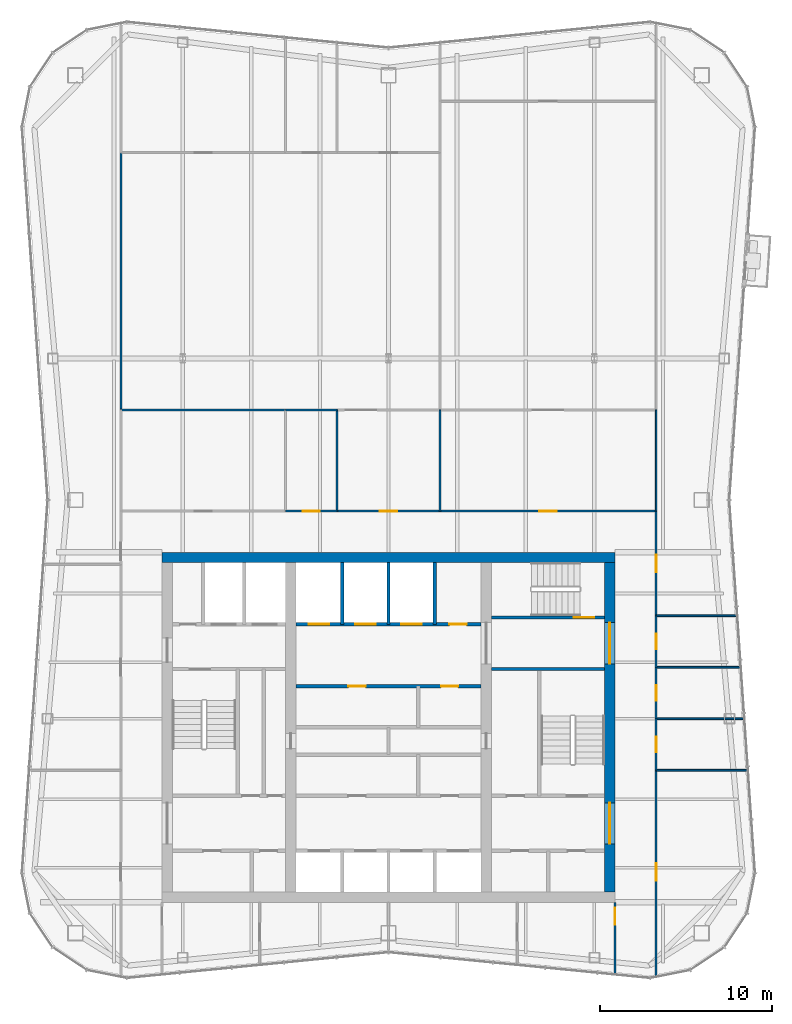
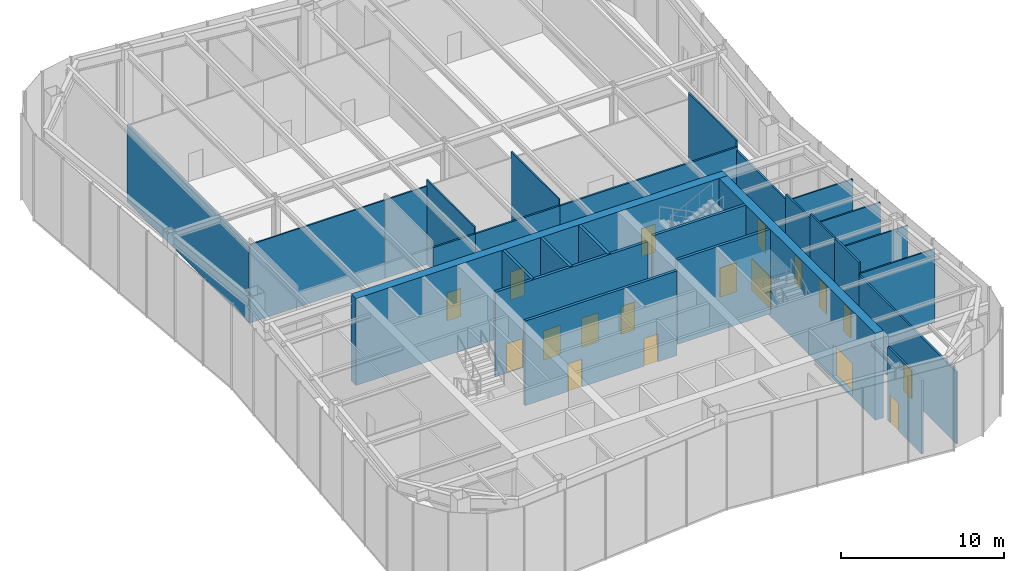
# One storey, part 11 of 15: 28 walls, 18 doors, 18 openings.
"""IFC4 building model written with IfcOpenShell, lengths in metres."""

import ifcopenshell
import ifcopenshell.guid

model = None  # the IFC model being written
_history = None  # IfcOwnerHistory: only IFC2X3 demands one
_inside = {}  # id of a spatial element -> (the spatial element, [elements in it])
_under = {}  # id of a project, library or spatial element -> (it, [spatial elements below it])
_declared = {}  # id of a project -> (the project, [libraries it declares])
_typed = {}  # id of a type object -> (the type object, [elements of that type])
_made_of = {}  # id of a material, layer set ... -> (it, [elements and type objects made of it])


def new_model(schema):
    """Start an empty IFC model of exactly this schema.

    Asked for "IFC4X3", IfcOpenShell would pick the latest addendum, in which some entities
    have other attributes; the version numbers below select the first issue.
    IFC2X3 requires an IfcOwnerHistory on every rooted entity: one is made here for all.
    """
    global model, _history
    if schema == "IFC4X3":
        model = ifcopenshell.file(schema_version=(4, 3, 0, 0))
    else:
        model = ifcopenshell.file(schema=schema)
    _inside.clear()
    _under.clear()
    _declared.clear()
    _typed.clear()
    _made_of.clear()
    _history = None
    if model.schema == "IFC2X3":
        org = make("IfcOrganization", Name="unknown")
        user = make(
            "IfcPersonAndOrganization",
            ThePerson=make("IfcPerson", FamilyName="unknown"),
            TheOrganization=org,
        )
        app = make(
            "IfcApplication",
            ApplicationDeveloper=org,
            Version="unknown",
            ApplicationFullName="unknown",
            ApplicationIdentifier="unknown",
        )
        _history = make(
            "IfcOwnerHistory",
            OwningUser=user,
            OwningApplication=app,
            ChangeAction="ADDED",
            CreationDate=0,
        )
    return model


def make(cls, **values):
    """One entity of the class cls with the attributes given. An attribute that is None is left unset."""
    return model.create_entity(
        cls, **{name: value for name, value in values.items() if value is not None}
    )


def rooted(cls, **values):
    """An entity with a GlobalId (a new one), such as an element, a storey or a relation."""
    return make(cls, GlobalId=ifcopenshell.guid.new(), OwnerHistory=_history, **values)


def si_unit(unit_type, name, prefix=None):
    """IfcSIUnit, for example si_unit("LENGTHUNIT", "METRE", prefix="MILLI")."""
    return make("IfcSIUnit", UnitType=unit_type, Prefix=prefix, Name=name)


def assignment(units):
    """IfcUnitAssignment: the units of a project."""
    return None if units is None else make("IfcUnitAssignment", Units=units)


def point(xyz):
    """IfcCartesianPoint."""
    return None if xyz is None else make("IfcCartesianPoint", Coordinates=xyz)


def direction(xyz):
    """IfcDirection."""
    return None if xyz is None else make("IfcDirection", DirectionRatios=xyz)


def frame(location, z_axis=None, x_axis=None):
    """IfcAxis2Placement3D, a coordinate frame: its origin and axes. An axis left out is left unset."""
    return make(
        "IfcAxis2Placement3D",
        Location=point(location),
        Axis=direction(z_axis),
        RefDirection=direction(x_axis),
    )


def frame_2d(location, x_axis=None):
    """IfcAxis2Placement2D, a coordinate frame in the plane: its origin and x axis."""
    return make(
        "IfcAxis2Placement2D", Location=point(location), RefDirection=direction(x_axis)
    )


def origin():
    """The frame at (0, 0, 0) with its axes left unset."""
    return frame((0.0, 0.0, 0.0))


def place(relative_to, where):
    """IfcLocalPlacement: puts the frame where relative to a parent placement (None: the world)."""
    return make(
        "IfcLocalPlacement", PlacementRelTo=relative_to, RelativePlacement=where
    )


def context(
    kind, dimensions, precision=None, world=None, true_north=None, identifier=None
):
    """IfcGeometricRepresentationContext, for example the 3D "Model" context."""
    return make(
        "IfcGeometricRepresentationContext",
        ContextIdentifier=identifier,
        ContextType=kind,
        CoordinateSpaceDimension=dimensions,
        Precision=precision,
        WorldCoordinateSystem=world,
        TrueNorth=true_north,
    )


def subcontext(parent, identifier, kind, view, scale=None):
    """IfcGeometricRepresentationSubContext, for example "Body" below "Model"."""
    return make(
        "IfcGeometricRepresentationSubContext",
        ContextIdentifier=identifier,
        ContextType=kind,
        ParentContext=parent,
        TargetScale=scale,
        TargetView=view,
    )


def project(units=None, contexts=None):
    """IfcProject with its units and contexts."""
    return rooted(
        "IfcProject",
        Name="project",
        RepresentationContexts=contexts,
        UnitsInContext=assignment(units),
    )


def spatial(cls, under=None, at=None, **own):
    """A site, building, storey or space (cls), placed at a placement, below another one or the project."""
    s = rooted(cls, ObjectPlacement=at, **own)
    if under is not None:
        _under.setdefault(under.id(), (under, []))[1].append(s)
    return s


def profile(cls, at=None, kind="AREA", **sizes):
    """A parametric profile (cls). Its sizes go by their IFC names, for example OverallWidth=200.0."""
    return make(cls, ProfileType=kind, Position=at, **sizes)


def rectangle(**sizes):
    """IfcRectangleProfileDef."""
    return profile("IfcRectangleProfileDef", **sizes)


def extrude(swept, where, along, depth):
    """IfcExtrudedAreaSolid: the profile swept, set in the frame where, extruded along a direction by depth."""
    return make(
        "IfcExtrudedAreaSolid",
        SweptArea=swept,
        Position=where,
        ExtrudedDirection=direction(along),
        Depth=depth,
    )


def shape(context_of_items, identifier, shape_type, items):
    """IfcShapeRepresentation: the items that make up one representation, for example the "Body"."""
    return make(
        "IfcShapeRepresentation",
        ContextOfItems=context_of_items,
        RepresentationIdentifier=identifier,
        RepresentationType=shape_type,
        Items=items,
    )


def material(Name=None, Category=None):
    """IfcMaterial."""
    return make("IfcMaterial", Name=Name, Category=Category)


def layer(
    of_material, thickness, ventilated=None, Name=None, Category=None, Priority=None
):
    """IfcMaterialLayer: one layer of a wall or slab, of a material (None: an air gap)."""
    return make(
        "IfcMaterialLayer",
        Material=of_material,
        LayerThickness=thickness,
        IsVentilated=ventilated,
        Name=Name,
        Category=Category,
        Priority=Priority,
    )


def layer_set(layers, Name=None):
    """IfcMaterialLayerSet."""
    return make("IfcMaterialLayerSet", MaterialLayers=layers, LayerSetName=Name)


def made_of(thing, what):
    """Note that an element or type object is made of a material, layer set ...; save() writes the relation."""
    if what is not None:
        _made_of.setdefault(what.id(), (what, []))[1].append(thing)
    return thing


def type_object(cls, material=None, **own):
    """A type object (cls), such as IfcWallType, which elements share."""
    return made_of(rooted(cls, **own), material)


def element(
    cls,
    number,
    at=None,
    inside=None,
    cuts=None,
    type_object=None,
    material=None,
    context=None,
    identifier="Body",
    shape_type=None,
    held_by="IfcProductDefinitionShape",
    body=None,
    shapes=None,
    **own,
):
    """One element of the class cls, such as IfcWall. Its Tag is "e" and its number.

    at: its placement. inside: the storey or other place that contains it. cuts: it is an
    opening in that element (IfcRelVoidsElement). A single representation is given by context,
    identifier, shape_type and body (its items); several are given by shapes. held_by: the class
    of the entity that holds the representations. save() writes the other relations.
    """
    e = rooted(cls, Tag="e%d" % number, ObjectPlacement=at, **own)
    if body is not None:
        shapes = [shape(context, identifier, shape_type, body)]
    if shapes is not None:
        e.Representation = make(held_by, Representations=shapes)
    if inside is not None:
        _inside.setdefault(inside.id(), (inside, []))[1].append(e)
    if cuts is not None:
        rooted(
            "IfcRelVoidsElement", RelatingBuildingElement=cuts, RelatedOpeningElement=e
        )
    if type_object is not None:
        _typed.setdefault(type_object.id(), (type_object, []))[1].append(e)
    return made_of(e, material)


def fill(opening, filler):
    """IfcRelFillsElement: the door or window that sits in an opening."""
    return rooted(
        "IfcRelFillsElement",
        RelatingOpeningElement=opening,
        RelatedBuildingElement=filler,
    )


def aggregate(whole, parts):
    """IfcRelAggregates: a whole, such as a stair, and the parts it consists of."""
    return rooted("IfcRelAggregates", RelatingObject=whole, RelatedObjects=parts)


def save(model, path):
    """Write the relations noted so far, then the file.

    IfcRelAggregates (storeys below a building ...), IfcRelContainedInSpatialStructure (elements
    in a storey), IfcRelDefinesByType, IfcRelAssociatesMaterial and IfcRelDeclares: one each for
    every whole, place, type object, material and project.
    """
    for whole, parts in _under.values():
        aggregate(whole, parts)
    for where, things in _inside.values():
        rooted(
            "IfcRelContainedInSpatialStructure",
            RelatedElements=things,
            RelatingStructure=where,
        )
    for kind, things in _typed.values():
        rooted("IfcRelDefinesByType", RelatedObjects=things, RelatingType=kind)
    for what, things in _made_of.values():
        rooted("IfcRelAssociatesMaterial", RelatedObjects=things, RelatingMaterial=what)
    for by, libraries in _declared.values():
        rooted("IfcRelDeclares", RelatingContext=by, RelatedDefinitions=libraries)
    model.write(path)


model = new_model("IFC4")

# Units and contexts
model_context = context("Model", 3, precision=1e-05, world=origin(), true_north=direction((0.0, 1.0)))
body_context = subcontext(model_context, "Body", "Model", "MODEL_VIEW")
ifc_project = project(units=[si_unit("LENGTHUNIT", "METRE"), si_unit("AREAUNIT", "SQUARE_METRE"), si_unit("VOLUMEUNIT", "CUBIC_METRE"), si_unit("PLANEANGLEUNIT", "RADIAN"), si_unit("MASSUNIT", "GRAM", prefix="KILO")], contexts=[model_context])

# Site, building, storey
site_placement = place(None, origin())
site = spatial("IfcSite", under=ifc_project, at=site_placement, CompositionType="ELEMENT")
building_placement = place(site_placement, origin())
building = spatial("IfcBuilding", under=site, at=building_placement, Name="Verdant Reach Tower", CompositionType="ELEMENT")
storey_placement = place(building_placement, frame((0.0, 0.0, 334.0)))
storey = spatial("IfcBuildingStorey", under=building, at=storey_placement, Name="L77", CompositionType="ELEMENT", Elevation=334.0)

# Wall, openings, doors
ifc_material_1 = material(Name="Gypsum board on steel studs", Category="steel")
ifc_layer_1 = layer(ifc_material_1, 0.199951171875)
ifc_layer_set_1 = layer_set([ifc_layer_1], Name="CO-WALL-ROOM")
wall_type_1 = type_object("IfcWallType", Name="CO-WALL-ROOM", PredefinedType="PARTITIONING", material=ifc_layer_set_1)
wall_1_placement = place(storey_placement, frame((-5.39990234375, 30.39990234375, 0.0), z_axis=(0.0, 0.0, 1.0), x_axis=(1.0, 0.0, 0.0)))
wall_1 = element("IfcWall", 1, at=wall_1_placement, inside=storey, type_object=wall_type_1, Name="Core partition, L77", PredefinedType="PARTITIONING", context=body_context, shape_type="SweptSolid", body=[
    extrude(rectangle(XDim=10.7998046875, YDim=0.199951171875, at=frame_2d((5.39990234375, 0.0))), origin(), (0.0, 0.0, 1.0), 6.35009765625),
])
opening_1_placement = place(wall_1_placement, frame((3.06396484375, 0.0, 0.0)))
opening_1 = element("IfcOpeningElement", 2, at=opening_1_placement, cuts=wall_1, Name="Opening CD", PredefinedType="OPENING", context=body_context, shape_type="SweptSolid", body=[
    extrude(rectangle(XDim=1.0, YDim=2.10009765625, at=frame_2d((0.5, 1.050048828125))), frame((0.0, 0.10986328125, 0.0), z_axis=(0.0, -1.0, 0.0), x_axis=(1.0, 0.0, 0.0)), (0.0, 0.0, 1.0), 0.219970703125),
])
opening_2_placement = place(wall_1_placement, frame((8.464111328125, 0.0, 0.0)))
opening_2 = element("IfcOpeningElement", 3, at=opening_2_placement, cuts=wall_1, Name="Opening CD", PredefinedType="OPENING", context=body_context, shape_type="SweptSolid", body=[
    extrude(rectangle(XDim=1.0, YDim=2.10009765625, at=frame_2d((0.5, 1.050048828125))), frame((0.0, 0.10986328125, 0.0), z_axis=(0.0, -1.0, 0.0), x_axis=(1.0, 0.0, 0.0)), (0.0, 0.0, 1.0), 0.219970703125),
])
ifc_material_2 = material(Name="Timber", Category="wood")
door_type_1 = type_object("IfcDoorType", Name="CO-DOOR-ROOM", OperationType="NOTDEFINED", PredefinedType="DOOR", material=ifc_material_2)
door_1_placement = place(opening_1_placement, origin())
door_1 = element("IfcDoor", 4, at=door_1_placement, inside=storey, type_object=door_type_1, Name="Core room door, L77", OperationType="SINGLE_SWING_RIGHT", OverallHeight=2.10009765625, OverallWidth=1.0, PredefinedType="DOOR", context=body_context, shape_type="SweptSolid", body=[
    extrude(rectangle(XDim=1.0, YDim=2.10009765625, at=frame_2d((0.5, 1.050048828125))), frame((0.0, 0.02490234375, 0.0), z_axis=(0.0, -1.0, 0.0), x_axis=(1.0, 0.0, 0.0)), (0.0, 0.0, 1.0), 0.050048828125),
])
fill(opening_1, door_1)
door_2_placement = place(opening_2_placement, origin())
door_2 = element("IfcDoor", 5, at=door_2_placement, inside=storey, type_object=door_type_1, Name="Core room door, L77", OperationType="SINGLE_SWING_LEFT", OverallHeight=2.10009765625, OverallWidth=1.0, PredefinedType="DOOR", context=body_context, shape_type="SweptSolid", body=[
    extrude(rectangle(XDim=1.0, YDim=2.10009765625, at=frame_2d((0.5, 1.050048828125))), frame((0.0, 0.02490234375, 0.0), z_axis=(0.0, -1.0, 0.0), x_axis=(1.0, 0.0, 0.0)), (0.0, 0.0, 1.0), 0.050048828125),
])
fill(opening_2, door_2)

ifc_material_3 = material(Name="Concrete C40/50", Category="concrete")
ifc_layer_2 = layer(ifc_material_3, 0.199951171875)
ifc_layer_set_2 = layer_set([ifc_layer_2], Name="CO-WALL-SHAFT")
wall_type_2 = type_object("IfcWallType", Name="CO-WALL-SHAFT", PredefinedType="PARTITIONING", material=ifc_layer_set_2)
wall_2_placement = place(storey_placement, frame((-5.39990234375, 34.0, 0.0), z_axis=(0.0, 0.0, 1.0), x_axis=(1.0, 0.0, 0.0)))
wall_2 = element("IfcWall", 6, at=wall_2_placement, inside=storey, type_object=wall_type_2, Name="Lift shaft wall, L77", PredefinedType="PARTITIONING", context=body_context, shape_type="SweptSolid", body=[
    extrude(rectangle(XDim=10.7998046875, YDim=0.199951171875, at=frame_2d((5.39990234375, 0.0))), origin(), (0.0, 0.0, 1.0), 6.35009765625),
])
opening_3_placement = place(wall_2_placement, frame((0.75, 0.0, 0.0)))
opening_3 = element("IfcOpeningElement", 7, at=opening_3_placement, cuts=wall_2, Name="Opening LD-P1", PredefinedType="OPENING", context=body_context, shape_type="SweptSolid", body=[
    extrude(rectangle(XDim=1.199951171875, YDim=2.199951171875, at=frame_2d((0.60009765625, 1.10009765625))), frame((0.0, 0.10986328125, 0.0), z_axis=(0.0, -1.0, 0.0), x_axis=(1.0, 0.0, 0.0)), (0.0, 0.0, 1.0), 0.219970703125),
])
opening_4_placement = place(wall_2_placement, frame((3.449951171875, 0.0, 0.0)))
opening_4 = element("IfcOpeningElement", 8, at=opening_4_placement, cuts=wall_2, Name="Opening LD-P2", PredefinedType="OPENING", context=body_context, shape_type="SweptSolid", body=[
    extrude(rectangle(XDim=1.199951171875, YDim=2.199951171875, at=frame_2d((0.60009765625, 1.10009765625))), frame((0.0, 0.10986328125, 0.0), z_axis=(0.0, -1.0, 0.0), x_axis=(1.0, 0.0, 0.0)), (0.0, 0.0, 1.0), 0.219970703125),
])
opening_5_placement = place(wall_2_placement, frame((6.14990234375, 0.0, 0.0)))
opening_5 = element("IfcOpeningElement", 9, at=opening_5_placement, cuts=wall_2, Name="Opening LD-SL1", PredefinedType="OPENING", context=body_context, shape_type="SweptSolid", body=[
    extrude(rectangle(XDim=1.199951171875, YDim=2.199951171875, at=frame_2d((0.60009765625, 1.10009765625))), frame((0.0, 0.10986328125, 0.0), z_axis=(0.0, -1.0, 0.0), x_axis=(1.0, 0.0, 0.0)), (0.0, 0.0, 1.0), 0.219970703125),
])
opening_6_placement = place(wall_2_placement, frame((8.949951171875, 0.0, 0.0)))
opening_6 = element("IfcOpeningElement", 10, at=opening_6_placement, cuts=wall_2, Name="Opening CD", PredefinedType="OPENING", context=body_context, shape_type="SweptSolid", body=[
    extrude(rectangle(XDim=1.0, YDim=2.10009765625, at=frame_2d((0.5, 1.050048828125))), frame((0.0, 0.10986328125, 0.0), z_axis=(0.0, -1.0, 0.0), x_axis=(1.0, 0.0, 0.0)), (0.0, 0.0, 1.0), 0.219970703125),
])
ifc_material_4 = material(Name="Stainless steel", Category="steel")
door_type_2 = type_object("IfcDoorType", Name="CO-DOOR-LANDING", OperationType="SLIDING_TO_LEFT", PredefinedType="DOOR", material=ifc_material_4)
door_3_placement = place(opening_3_placement, origin())
door_3 = element("IfcDoor", 11, at=door_3_placement, inside=storey, type_object=door_type_2, Name="Landing door P1, L77", OperationType="SLIDING_TO_LEFT", OverallHeight=2.199951171875, OverallWidth=1.199951171875, PredefinedType="DOOR", context=body_context, shape_type="SweptSolid", body=[
    extrude(rectangle(XDim=1.199951171875, YDim=2.199951171875, at=frame_2d((0.60009765625, 1.10009765625))), frame((0.0, 0.02490234375, 0.0), z_axis=(0.0, -1.0, 0.0), x_axis=(1.0, 0.0, 0.0)), (0.0, 0.0, 1.0), 0.050048828125),
])
fill(opening_3, door_3)
door_4_placement = place(opening_4_placement, origin())
door_4 = element("IfcDoor", 12, at=door_4_placement, inside=storey, type_object=door_type_2, Name="Landing door P2, L77", OperationType="SLIDING_TO_LEFT", OverallHeight=2.199951171875, OverallWidth=1.199951171875, PredefinedType="DOOR", context=body_context, shape_type="SweptSolid", body=[
    extrude(rectangle(XDim=1.199951171875, YDim=2.199951171875, at=frame_2d((0.60009765625, 1.10009765625))), frame((0.0, 0.02490234375, 0.0), z_axis=(0.0, -1.0, 0.0), x_axis=(1.0, 0.0, 0.0)), (0.0, 0.0, 1.0), 0.050048828125),
])
fill(opening_4, door_4)
door_5_placement = place(opening_5_placement, origin())
door_5 = element("IfcDoor", 13, at=door_5_placement, inside=storey, type_object=door_type_2, Name="Landing door SL1, L77", OperationType="SLIDING_TO_LEFT", OverallHeight=2.199951171875, OverallWidth=1.199951171875, PredefinedType="DOOR", context=body_context, shape_type="SweptSolid", body=[
    extrude(rectangle(XDim=1.199951171875, YDim=2.199951171875, at=frame_2d((0.60009765625, 1.10009765625))), frame((0.0, 0.02490234375, 0.0), z_axis=(0.0, -1.0, 0.0), x_axis=(1.0, 0.0, 0.0)), (0.0, 0.0, 1.0), 0.050048828125),
])
fill(opening_5, door_5)
door_6_placement = place(opening_6_placement, origin())
door_6 = element("IfcDoor", 14, at=door_6_placement, inside=storey, type_object=door_type_1, Name="Core room door, L77", OperationType="SINGLE_SWING_LEFT", OverallHeight=2.10009765625, OverallWidth=1.0, PredefinedType="DOOR", context=body_context, shape_type="SweptSolid", body=[
    extrude(rectangle(XDim=1.0, YDim=2.10009765625, at=frame_2d((0.5, 1.050048828125))), frame((0.0, 0.02490234375, 0.0), z_axis=(0.0, -1.0, 0.0), x_axis=(1.0, 0.0, 0.0)), (0.0, 0.0, 1.0), 0.050048828125),
])
fill(opening_6, door_6)

# Walls
for number, where, z_axis, x_axis, name in (
    (15, (-2.699951171875, 34.0, 0.0), (0.0, 0.0, 1.0), (0.0, 1.0, 0.0), "Lift shaft wall, L77"),
    (16, (0.0, 34.0, 0.0), (0.0, 0.0, 1.0), (0.0, 1.0, 0.0), "Lift shaft wall, L77"),
    (17, (2.699951171875, 34.0, 0.0), (0.0, 0.0, 1.0), (0.0, 1.0, 0.0), "Lift shaft wall, L77"),
):
    element("IfcWall", number, at=place(storey_placement, frame(where, z_axis=z_axis, x_axis=x_axis)), inside=storey, type_object=wall_type_2, Name=name, PredefinedType="PARTITIONING", context=body_context, shape_type="SweptSolid", body=[
        extrude(rectangle(XDim=3.60009765625, YDim=0.199951171875, at=frame_2d((1.800048828125, 0.0))), origin(), (0.0, 0.0, 1.0), 6.35009765625),
    ])
ifc_layer_3 = layer(ifc_material_3, 0.199951171875)
ifc_layer_set_3 = layer_set([ifc_layer_3], Name="CO-WALL-STAIR")
wall_type_3 = type_object("IfcWallType", Name="CO-WALL-STAIR", PredefinedType="PARTITIONING", material=ifc_layer_set_3)
wall_3_placement = place(storey_placement, frame((6.0, 31.39990234375, 0.0), z_axis=(0.0, 0.0, 1.0), x_axis=(1.0, 0.0, 0.0)))
element("IfcWall", 18, at=wall_3_placement, inside=storey, type_object=wall_type_3, Name="Stair enclosure wall, L77", PredefinedType="PARTITIONING", context=body_context, shape_type="SweptSolid", body=[
    extrude(rectangle(XDim=6.60009765625, YDim=0.199951171875, at=frame_2d((3.300048828125, 0.0))), origin(), (0.0, 0.0, 1.0), 6.35009765625),
])

# Wall, opening, door
wall_4_placement = place(storey_placement, frame((6.0, 34.39990234375, 0.0), z_axis=(0.0, 0.0, 1.0), x_axis=(1.0, 0.0, 0.0)))
wall_4 = element("IfcWall", 19, at=wall_4_placement, inside=storey, type_object=wall_type_3, Name="Stair enclosure wall, L77", PredefinedType="PARTITIONING", context=body_context, shape_type="SweptSolid", body=[
    extrude(rectangle(XDim=6.60009765625, YDim=0.199951171875, at=frame_2d((3.300048828125, 0.0))), origin(), (0.0, 0.0, 1.0), 6.35009765625),
])
opening_7_placement = place(wall_4_placement, frame((4.800048828125, 0.0, 0.0)))
opening_7 = element("IfcOpeningElement", 20, at=opening_7_placement, cuts=wall_4, Name="Opening SD", PredefinedType="OPENING", context=body_context, shape_type="SweptSolid", body=[
    extrude(rectangle(XDim=1.199951171875, YDim=2.199951171875, at=frame_2d((0.60009765625, 1.10009765625))), frame((0.0, 0.10986328125, 0.0), z_axis=(0.0, -1.0, 0.0), x_axis=(1.0, 0.0, 0.0)), (0.0, 0.0, 1.0), 0.219970703125),
])
ifc_material_5 = material(Name="Steel", Category="steel")
door_type_3 = type_object("IfcDoorType", Name="CO-DOOR-STAIR", OperationType="NOTDEFINED", PredefinedType="DOOR", material=ifc_material_5)
door_7_placement = place(opening_7_placement, origin())
door_7 = element("IfcDoor", 21, at=door_7_placement, inside=storey, type_object=door_type_3, Name="Stair door, L77", OperationType="SINGLE_SWING_RIGHT", OverallHeight=2.199951171875, OverallWidth=1.199951171875, PredefinedType="DOOR", context=body_context, shape_type="SweptSolid", body=[
    extrude(rectangle(XDim=1.199951171875, YDim=2.199951171875, at=frame_2d((0.60009765625, 1.10009765625))), frame((0.0, 0.02490234375, 0.0), z_axis=(0.0, -1.0, 0.0), x_axis=(1.0, 0.0, 0.0)), (0.0, 0.0, 1.0), 0.050048828125),
])
fill(opening_7, door_7)

# Walls
ifc_layer_4 = layer(ifc_material_1, 0.10009765625)
ifc_layer_set_4 = layer_set([ifc_layer_4], Name="FL-W1 Partition 100")
wall_type_4 = type_object("IfcWallType", Name="FL-W1 Partition 100", PredefinedType="PARTITIONING", material=ifc_layer_set_4)
wall_5_placement = place(storey_placement, frame((-15.60009765625, 46.5, 0.0), z_axis=(0.0, 0.0, 1.0), x_axis=(0.0, 1.0, 0.0)))
element("IfcWall", 22, at=wall_5_placement, inside=storey, type_object=wall_type_4, Name="Partition 77.18", PredefinedType="PARTITIONING", context=body_context, shape_type="SweptSolid", body=[
    extrude(rectangle(XDim=15.0, YDim=0.10009765625, at=frame_2d((7.5, 0.0))), origin(), (0.0, 0.0, 1.0), 5.830078125),
])
wall_6_placement = place(storey_placement, frame((20.916259765625, 25.5, 0.0), z_axis=(0.0, 0.0, 1.0), x_axis=(-1.0, 0.0, 0.0)))
element("IfcWall", 23, at=wall_6_placement, inside=storey, type_object=wall_type_4, Name="Partition 77.20", PredefinedType="PARTITIONING", context=body_context, shape_type="SweptSolid", body=[
    extrude(rectangle(XDim=5.316162109375, YDim=0.10009765625, at=frame_2d((2.658203125, 0.0))), origin(), (0.0, 0.0, 1.0), 5.52001953125),
])
wall_7_placement = place(storey_placement, frame((20.709228515625, 28.5, 0.0), z_axis=(0.0, 0.0, 1.0), x_axis=(-1.0, 0.0, 0.0)))
element("IfcWall", 24, at=wall_7_placement, inside=storey, type_object=wall_type_4, Name="Partition 77.21", PredefinedType="PARTITIONING", context=body_context, shape_type="SweptSolid", body=[
    extrude(rectangle(XDim=5.109130859375, YDim=0.10009765625, at=frame_2d((2.5546875, 0.0))), origin(), (0.0, 0.0, 1.0), 5.52001953125),
])
wall_8_placement = place(storey_placement, frame((20.50244140625, 31.5, 0.0), z_axis=(0.0, 0.0, 1.0), x_axis=(-1.0, 0.0, 0.0)))
element("IfcWall", 25, at=wall_8_placement, inside=storey, type_object=wall_type_4, Name="Partition 77.22", PredefinedType="PARTITIONING", context=body_context, shape_type="SweptSolid", body=[
    extrude(rectangle(XDim=4.90234375, YDim=0.10009765625, at=frame_2d((2.451171875, 0.0))), origin(), (0.0, 0.0, 1.0), 5.52001953125),
])
wall_9_placement = place(storey_placement, frame((20.29541015625, 34.5, 0.0), z_axis=(0.0, 0.0, 1.0), x_axis=(-1.0, 0.0, 0.0)))
element("IfcWall", 26, at=wall_9_placement, inside=storey, type_object=wall_type_4, Name="Partition 77.23", PredefinedType="PARTITIONING", context=body_context, shape_type="SweptSolid", body=[
    extrude(rectangle(XDim=4.6953125, YDim=0.10009765625, at=frame_2d((2.34765625, 0.0))), origin(), (0.0, 0.0, 1.0), 5.52001953125),
])
wall_10_placement = place(storey_placement, frame((15.60009765625, 46.5, 0.0), z_axis=(0.0, 0.0, 1.0), x_axis=(0.0, -1.0, 0.0)))
element("IfcWall", 27, at=wall_10_placement, inside=storey, type_object=wall_type_4, Name="Partition 77.24", PredefinedType="PARTITIONING", context=body_context, shape_type="SweptSolid", body=[
    extrude(rectangle(XDim=5.89990234375, YDim=0.10009765625, at=frame_2d((2.949951171875, 0.0))), origin(), (0.0, 0.0, 1.0), 6.35009765625),
])
wall_11_placement = place(storey_placement, frame((-5.99609375, 46.5, 0.0), z_axis=(0.0, 0.0, 1.0), x_axis=(-1.0, 0.0, 0.0)))
element("IfcWall", 28, at=wall_11_placement, inside=storey, type_object=wall_type_4, Name="Partition 77.31", PredefinedType="PARTITIONING", context=body_context, shape_type="SweptSolid", body=[
    extrude(rectangle(XDim=9.60400390625, YDim=0.10009765625, at=frame_2d((4.802001953125, 0.0))), origin(), (0.0, 0.0, 1.0), 5.8701171875),
])
wall_12_placement = place(storey_placement, frame((-3.0, 40.60009765625, 0.0), z_axis=(0.0, 0.0, 1.0), x_axis=(0.0, 1.0, 0.0)))
element("IfcWall", 29, at=wall_12_placement, inside=storey, type_object=wall_type_4, Name="Partition 77.32", PredefinedType="PARTITIONING", context=body_context, shape_type="SweptSolid", body=[
    extrude(rectangle(XDim=5.89990234375, YDim=0.10009765625, at=frame_2d((2.949951171875, 0.0))), origin(), (0.0, 0.0, 1.0), 6.35009765625),
])
wall_13_placement = place(storey_placement, frame((-2.99609375, 46.5, 0.0), z_axis=(0.0, 0.0, 1.0), x_axis=(-1.0, 0.0, 0.0)))
element("IfcWall", 30, at=wall_13_placement, inside=storey, type_object=wall_type_4, Name="Partition 77.33", PredefinedType="PARTITIONING", context=body_context, shape_type="SweptSolid", body=[
    extrude(rectangle(XDim=3.0078125, YDim=0.10009765625, at=frame_2d((1.50390625, 0.0))), origin(), (0.0, 0.0, 1.0), 5.8701171875),
])
wall_14_placement = place(storey_placement, frame((3.0, 40.60009765625, 0.0), z_axis=(0.0, 0.0, 1.0), x_axis=(0.0, 1.0, 0.0)))
element("IfcWall", 31, at=wall_14_placement, inside=storey, type_object=wall_type_4, Name="Partition 77.35", PredefinedType="PARTITIONING", context=body_context, shape_type="SweptSolid", body=[
    extrude(rectangle(XDim=5.89990234375, YDim=0.10009765625, at=frame_2d((2.949951171875, 0.0))), origin(), (0.0, 0.0, 1.0), 6.35009765625),
])

# Wall, opening, door
ifc_material_6 = material(Name="Gypsum board on steel studs, fire rated", Category="steel")
ifc_layer_5 = layer(ifc_material_6, 0.125)
ifc_layer_set_5 = layer_set([ifc_layer_5], Name="FL-W2 Corridor wall 125")
wall_type_5 = type_object("IfcWallType", Name="FL-W2 Corridor wall 125", PredefinedType="PARTITIONING", material=ifc_layer_set_5)
wall_15_placement = place(storey_placement, frame((15.60009765625, 25.5, 0.0), z_axis=(0.0, 0.0, 1.0), x_axis=(0.0, -1.0, 0.0)))
wall_15 = element("IfcWall", 32, at=wall_15_placement, inside=storey, type_object=wall_type_5, Name="Partition 77.04", PredefinedType="PARTITIONING", context=body_context, shape_type="SweptSolid", body=[
    extrude(rectangle(XDim=12.010498046875, YDim=0.125, at=frame_2d((6.00537109375, 0.0))), origin(), (0.0, 0.0, 1.0), 5.409912109375),
])
opening_8_placement = place(wall_15_placement, frame((5.439697265625, 0.0, 0.0)))
opening_8 = element("IfcOpeningElement", 33, at=opening_8_placement, cuts=wall_15, Name="Opening D2", PredefinedType="OPENING", context=body_context, shape_type="SweptSolid", body=[
    extrude(rectangle(XDim=1.0, YDim=2.10009765625, at=frame_2d((0.5, 1.050048828125))), frame((0.0, 0.072509765625, 0.0), z_axis=(0.0, -1.0, 0.0), x_axis=(1.0, 0.0, 0.0)), (0.0, 0.0, 1.0), 0.14501953125),
])
ifc_material_7 = material(Name="Timber door leaf, fire rated", Category="wood")
door_type_4 = type_object("IfcDoorType", Name="FL-D2 Entrance door 1000x2100 FD30", OperationType="NOTDEFINED", PredefinedType="DOOR", material=ifc_material_7)
door_8_placement = place(opening_8_placement, origin())
door_8 = element("IfcDoor", 34, at=door_8_placement, inside=storey, type_object=door_type_4, Name="Door 77-004", OperationType="SINGLE_SWING_LEFT", OverallHeight=2.10009765625, OverallWidth=1.0, PredefinedType="DOOR", context=body_context, shape_type="SweptSolid", body=[
    extrude(rectangle(XDim=1.0, YDim=2.10009765625, at=frame_2d((0.5, 1.050048828125))), frame((0.0, 0.02490234375, 0.0), z_axis=(0.0, -1.0, 0.0), x_axis=(1.0, 0.0, 0.0)), (0.0, 0.0, 1.0), 0.050048828125),
])
fill(opening_8, door_8)

wall_16_placement = place(storey_placement, frame((15.60009765625, 28.5, 0.0), z_axis=(0.0, 0.0, 1.0), x_axis=(0.0, -1.0, 0.0)))
wall_16 = element("IfcWall", 35, at=wall_16_placement, inside=storey, type_object=wall_type_5, Name="Partition 77.05", PredefinedType="PARTITIONING", context=body_context, shape_type="SweptSolid", body=[
    extrude(rectangle(XDim=3.0, YDim=0.125, at=frame_2d((1.5, 0.0))), origin(), (0.0, 0.0, 1.0), 6.35009765625),
])
opening_9_placement = place(wall_16_placement, frame((1.050048828125, 0.0, 0.0)))
opening_9 = element("IfcOpeningElement", 36, at=opening_9_placement, cuts=wall_16, Name="Opening D1", PredefinedType="OPENING", context=body_context, shape_type="SweptSolid", body=[
    extrude(rectangle(XDim=0.89990234375, YDim=2.10009765625, at=frame_2d((0.449951171875, 1.050048828125))), frame((0.0, 0.072509765625, 0.0), z_axis=(0.0, -1.0, 0.0), x_axis=(1.0, 0.0, 0.0)), (0.0, 0.0, 1.0), 0.14501953125),
])
ifc_material_8 = material(Name="Painted timber door leaf", Category="wood")
door_type_5 = type_object("IfcDoorType", Name="FL-D1 Door 900x2100", OperationType="NOTDEFINED", PredefinedType="DOOR", material=ifc_material_8)
door_9_placement = place(opening_9_placement, origin())
door_9 = element("IfcDoor", 37, at=door_9_placement, inside=storey, type_object=door_type_5, Name="Door 77-005", OperationType="SINGLE_SWING_LEFT", OverallHeight=2.10009765625, OverallWidth=0.89990234375, PredefinedType="DOOR", context=body_context, shape_type="SweptSolid", body=[
    extrude(rectangle(XDim=0.89990234375, YDim=2.10009765625, at=frame_2d((0.449951171875, 1.050048828125))), frame((0.0, 0.02490234375, 0.0), z_axis=(0.0, -1.0, 0.0), x_axis=(1.0, 0.0, 0.0)), (0.0, 0.0, 1.0), 0.050048828125),
])
fill(opening_9, door_9)

wall_17_placement = place(storey_placement, frame((15.60009765625, 31.5, 0.0), z_axis=(0.0, 0.0, 1.0), x_axis=(0.0, -1.0, 0.0)))
wall_17 = element("IfcWall", 38, at=wall_17_placement, inside=storey, type_object=wall_type_5, Name="Partition 77.06", PredefinedType="PARTITIONING", context=body_context, shape_type="SweptSolid", body=[
    extrude(rectangle(XDim=3.0, YDim=0.125, at=frame_2d((1.5, 0.0))), origin(), (0.0, 0.0, 1.0), 6.35009765625),
])
opening_10_placement = place(wall_17_placement, frame((1.050048828125, 0.0, 0.0)))
opening_10 = element("IfcOpeningElement", 39, at=opening_10_placement, cuts=wall_17, Name="Opening D1", PredefinedType="OPENING", context=body_context, shape_type="SweptSolid", body=[
    extrude(rectangle(XDim=0.89990234375, YDim=2.10009765625, at=frame_2d((0.449951171875, 1.050048828125))), frame((0.0, 0.072509765625, 0.0), z_axis=(0.0, -1.0, 0.0), x_axis=(1.0, 0.0, 0.0)), (0.0, 0.0, 1.0), 0.14501953125),
])
door_10_placement = place(opening_10_placement, origin())
door_10 = element("IfcDoor", 40, at=door_10_placement, inside=storey, type_object=door_type_5, Name="Door 77-006", OperationType="SINGLE_SWING_RIGHT", OverallHeight=2.10009765625, OverallWidth=0.89990234375, PredefinedType="DOOR", context=body_context, shape_type="SweptSolid", body=[
    extrude(rectangle(XDim=0.89990234375, YDim=2.10009765625, at=frame_2d((0.449951171875, 1.050048828125))), frame((0.0, 0.02490234375, 0.0), z_axis=(0.0, -1.0, 0.0), x_axis=(1.0, 0.0, 0.0)), (0.0, 0.0, 1.0), 0.050048828125),
])
fill(opening_10, door_10)

wall_18_placement = place(storey_placement, frame((15.60009765625, 34.5, 0.0), z_axis=(0.0, 0.0, 1.0), x_axis=(0.0, -1.0, 0.0)))
wall_18 = element("IfcWall", 41, at=wall_18_placement, inside=storey, type_object=wall_type_5, Name="Partition 77.07", PredefinedType="PARTITIONING", context=body_context, shape_type="SweptSolid", body=[
    extrude(rectangle(XDim=3.0, YDim=0.125, at=frame_2d((1.5, 0.0))), origin(), (0.0, 0.0, 1.0), 6.02001953125),
])
opening_11_placement = place(wall_18_placement, frame((1.050048828125, 0.0, 0.0)))
opening_11 = element("IfcOpeningElement", 42, at=opening_11_placement, cuts=wall_18, Name="Opening D1", PredefinedType="OPENING", context=body_context, shape_type="SweptSolid", body=[
    extrude(rectangle(XDim=0.89990234375, YDim=2.10009765625, at=frame_2d((0.449951171875, 1.050048828125))), frame((0.0, 0.072509765625, 0.0), z_axis=(0.0, -1.0, 0.0), x_axis=(1.0, 0.0, 0.0)), (0.0, 0.0, 1.0), 0.14501953125),
])
door_11_placement = place(opening_11_placement, origin())
door_11 = element("IfcDoor", 43, at=door_11_placement, inside=storey, type_object=door_type_5, Name="Door 77-007", OperationType="SINGLE_SWING_LEFT", OverallHeight=2.10009765625, OverallWidth=0.89990234375, PredefinedType="DOOR", context=body_context, shape_type="SweptSolid", body=[
    extrude(rectangle(XDim=0.89990234375, YDim=2.10009765625, at=frame_2d((0.449951171875, 1.050048828125))), frame((0.0, 0.02490234375, 0.0), z_axis=(0.0, -1.0, 0.0), x_axis=(1.0, 0.0, 0.0)), (0.0, 0.0, 1.0), 0.050048828125),
])
fill(opening_11, door_11)

wall_19_placement = place(storey_placement, frame((15.60009765625, 40.60400390625, 0.0), z_axis=(0.0, 0.0, 1.0), x_axis=(0.0, -1.0, 0.0)))
wall_19 = element("IfcWall", 44, at=wall_19_placement, inside=storey, type_object=wall_type_5, Name="Partition 77.08", PredefinedType="PARTITIONING", context=body_context, shape_type="SweptSolid", body=[
    extrude(rectangle(XDim=6.10400390625, YDim=0.125, at=frame_2d((3.052001953125, 0.0))), origin(), (0.0, 0.0, 1.0), 5.6201171875),
])
opening_12_placement = place(wall_19_placement, frame((2.552001953125, 0.0, 0.0)))
opening_12 = element("IfcOpeningElement", 45, at=opening_12_placement, cuts=wall_19, Name="Opening D2", PredefinedType="OPENING", context=body_context, shape_type="SweptSolid", body=[
    extrude(rectangle(XDim=1.0, YDim=2.10009765625, at=frame_2d((0.5, 1.050048828125))), frame((0.0, 0.072509765625, 0.0), z_axis=(0.0, -1.0, 0.0), x_axis=(1.0, 0.0, 0.0)), (0.0, 0.0, 1.0), 0.14501953125),
])
door_12_placement = place(opening_12_placement, origin())
door_12 = element("IfcDoor", 46, at=door_12_placement, inside=storey, type_object=door_type_4, Name="Door 77-008", OperationType="SINGLE_SWING_RIGHT", OverallHeight=2.10009765625, OverallWidth=1.0, PredefinedType="DOOR", context=body_context, shape_type="SweptSolid", body=[
    extrude(rectangle(XDim=1.0, YDim=2.10009765625, at=frame_2d((0.5, 1.050048828125))), frame((0.0, 0.02490234375, 0.0), z_axis=(0.0, -1.0, 0.0), x_axis=(1.0, 0.0, 0.0)), (0.0, 0.0, 1.0), 0.050048828125),
])
fill(opening_12, door_12)

wall_20_placement = place(storey_placement, frame((13.199951171875, 13.62158203125, 0.0), z_axis=(0.0, 0.0, 1.0), x_axis=(0.0, 1.0, 0.0)))
wall_20 = element("IfcWall", 47, at=wall_20_placement, inside=storey, type_object=wall_type_5, Name="Partition 77.10", PredefinedType="PARTITIONING", context=body_context, shape_type="SweptSolid", body=[
    extrude(rectangle(XDim=4.178466796875, YDim=0.125, at=frame_2d((2.08935546875, 0.0))), origin(), (0.0, 0.0, 1.0), 5.52001953125),
])
opening_13_placement = place(wall_20_placement, frame((2.854248046875, 0.0, 0.0)))
opening_13 = element("IfcOpeningElement", 48, at=opening_13_placement, cuts=wall_20, Name="Opening D2", PredefinedType="OPENING", context=body_context, shape_type="SweptSolid", body=[
    extrude(rectangle(XDim=1.0, YDim=2.10009765625, at=frame_2d((0.5, 1.050048828125))), frame((0.0, 0.072509765625, 0.0), z_axis=(0.0, -1.0, 0.0), x_axis=(1.0, 0.0, 0.0)), (0.0, 0.0, 1.0), 0.14501953125),
])
door_13_placement = place(opening_13_placement, origin())
door_13 = element("IfcDoor", 49, at=door_13_placement, inside=storey, type_object=door_type_4, Name="Door 77-010", OperationType="SINGLE_SWING_RIGHT", OverallHeight=2.10009765625, OverallWidth=1.0, PredefinedType="DOOR", context=body_context, shape_type="SweptSolid", body=[
    extrude(rectangle(XDim=1.0, YDim=2.10009765625, at=frame_2d((0.5, 1.050048828125))), frame((0.0, 0.02490234375, 0.0), z_axis=(0.0, -1.0, 0.0), x_axis=(1.0, 0.0, 0.0)), (0.0, 0.0, 1.0), 0.050048828125),
])
fill(opening_13, door_13)

wall_21_placement = place(storey_placement, frame((-6.0, 40.60009765625, 0.0), z_axis=(0.0, 0.0, 1.0), x_axis=(1.0, 0.0, 0.0)))
wall_21 = element("IfcWall", 50, at=wall_21_placement, inside=storey, type_object=wall_type_5, Name="Partition 77.12", PredefinedType="PARTITIONING", context=body_context, shape_type="SweptSolid", body=[
    extrude(rectangle(XDim=3.0, YDim=0.125, at=frame_2d((1.5, 0.0))), origin(), (0.0, 0.0, 1.0), 5.8701171875),
])
opening_14_placement = place(wall_21_placement, frame((1.0, 0.0, 0.0)))
opening_14 = element("IfcOpeningElement", 51, at=opening_14_placement, cuts=wall_21, Name="Opening D2", PredefinedType="OPENING", context=body_context, shape_type="SweptSolid", body=[
    extrude(rectangle(XDim=1.0, YDim=2.10009765625, at=frame_2d((0.5, 1.050048828125))), frame((0.0, 0.072509765625, 0.0), z_axis=(0.0, -1.0, 0.0), x_axis=(1.0, 0.0, 0.0)), (0.0, 0.0, 1.0), 0.14501953125),
])
door_14_placement = place(opening_14_placement, origin())
door_14 = element("IfcDoor", 52, at=door_14_placement, inside=storey, type_object=door_type_4, Name="Door 77-012", OperationType="SINGLE_SWING_RIGHT", OverallHeight=2.10009765625, OverallWidth=1.0, PredefinedType="DOOR", context=body_context, shape_type="SweptSolid", body=[
    extrude(rectangle(XDim=1.0, YDim=2.10009765625, at=frame_2d((0.5, 1.050048828125))), frame((0.0, 0.02490234375, 0.0), z_axis=(0.0, -1.0, 0.0), x_axis=(1.0, 0.0, 0.0)), (0.0, 0.0, 1.0), 0.050048828125),
])
fill(opening_14, door_14)

wall_22_placement = place(storey_placement, frame((-3.0, 40.60009765625, 0.0), z_axis=(0.0, 0.0, 1.0), x_axis=(1.0, 0.0, 0.0)))
wall_22 = element("IfcWall", 53, at=wall_22_placement, inside=storey, type_object=wall_type_5, Name="Partition 77.13", PredefinedType="PARTITIONING", context=body_context, shape_type="SweptSolid", body=[
    extrude(rectangle(XDim=6.0, YDim=0.125, at=frame_2d((3.0, 0.0))), origin(), (0.0, 0.0, 1.0), 5.8701171875),
])
opening_15_placement = place(wall_22_placement, frame((2.5, 0.0, 0.0)))
opening_15 = element("IfcOpeningElement", 54, at=opening_15_placement, cuts=wall_22, Name="Opening D2", PredefinedType="OPENING", context=body_context, shape_type="SweptSolid", body=[
    extrude(rectangle(XDim=1.0, YDim=2.10009765625, at=frame_2d((0.5, 1.050048828125))), frame((0.0, 0.072509765625, 0.0), z_axis=(0.0, -1.0, 0.0), x_axis=(1.0, 0.0, 0.0)), (0.0, 0.0, 1.0), 0.14501953125),
])
door_15_placement = place(opening_15_placement, origin())
door_15 = element("IfcDoor", 55, at=door_15_placement, inside=storey, type_object=door_type_4, Name="Door 77-013", OperationType="SINGLE_SWING_LEFT", OverallHeight=2.10009765625, OverallWidth=1.0, PredefinedType="DOOR", context=body_context, shape_type="SweptSolid", body=[
    extrude(rectangle(XDim=1.0, YDim=2.10009765625, at=frame_2d((0.5, 1.050048828125))), frame((0.0, 0.02490234375, 0.0), z_axis=(0.0, -1.0, 0.0), x_axis=(1.0, 0.0, 0.0)), (0.0, 0.0, 1.0), 0.050048828125),
])
fill(opening_15, door_15)

wall_23_placement = place(storey_placement, frame((3.0, 40.60009765625, 0.0), z_axis=(0.0, 0.0, 1.0), x_axis=(1.0, 0.0, 0.0)))
wall_23 = element("IfcWall", 56, at=wall_23_placement, inside=storey, type_object=wall_type_5, Name="Partition 77.14", PredefinedType="PARTITIONING", context=body_context, shape_type="SweptSolid", body=[
    extrude(rectangle(XDim=12.60009765625, YDim=0.125, at=frame_2d((6.300048828125, 0.0))), origin(), (0.0, 0.0, 1.0), 5.8701171875),
])
opening_16_placement = place(wall_23_placement, frame((5.800048828125, 0.0, 0.0)))
opening_16 = element("IfcOpeningElement", 57, at=opening_16_placement, cuts=wall_23, Name="Opening D2", PredefinedType="OPENING", context=body_context, shape_type="SweptSolid", body=[
    extrude(rectangle(XDim=1.0, YDim=2.10009765625, at=frame_2d((0.5, 1.050048828125))), frame((0.0, 0.072509765625, 0.0), z_axis=(0.0, -1.0, 0.0), x_axis=(1.0, 0.0, 0.0)), (0.0, 0.0, 1.0), 0.14501953125),
])
door_16_placement = place(opening_16_placement, origin())
door_16 = element("IfcDoor", 58, at=door_16_placement, inside=storey, type_object=door_type_4, Name="Door 77-014", OperationType="SINGLE_SWING_RIGHT", OverallHeight=2.10009765625, OverallWidth=1.0, PredefinedType="DOOR", context=body_context, shape_type="SweptSolid", body=[
    extrude(rectangle(XDim=1.0, YDim=2.10009765625, at=frame_2d((0.5, 1.050048828125))), frame((0.0, 0.02490234375, 0.0), z_axis=(0.0, -1.0, 0.0), x_axis=(1.0, 0.0, 0.0)), (0.0, 0.0, 1.0), 0.050048828125),
])
fill(opening_16, door_16)

# Wall
ifc_material_9 = material(Name="Concrete C70/85", Category="concrete")
ifc_layer_6 = layer(ifc_material_9, 0.60009765625)
ifc_layer_set_6 = layer_set([ifc_layer_6], Name="ST-CORE-WALL-600")
wall_type_6 = type_object("IfcWallType", Name="ST-CORE-WALL-600", PredefinedType="SHEAR", material=ifc_layer_set_6)
wall_24_placement = place(storey_placement, frame((-13.199951171875, 37.89990234375, -0.179931640625), z_axis=(0.0, 0.0, 1.0), x_axis=(1.0, 0.0, 0.0)))
element("IfcWall", 59, at=wall_24_placement, inside=storey, type_object=wall_type_6, Name="Core wall N, L77", PredefinedType="SHEAR", context=body_context, shape_type="SweptSolid", body=[
    extrude(rectangle(XDim=26.39990234375, YDim=0.60009765625, at=frame_2d((13.199951171875, 0.0))), origin(), (0.0, 0.0, 1.0), 6.530029296875),
])

# Wall, openings, doors
wall_25_placement = place(storey_placement, frame((12.89990234375, 18.39990234375, -0.179931640625), z_axis=(0.0, 0.0, 1.0), x_axis=(0.0, 1.0, 0.0)))
wall_25 = element("IfcWall", 60, at=wall_25_placement, inside=storey, type_object=wall_type_6, Name="Core wall E, L77", PredefinedType="SHEAR", context=body_context, shape_type="SweptSolid", body=[
    extrude(rectangle(XDim=19.2001953125, YDim=0.60009765625, at=frame_2d((9.60009765625, 0.0))), origin(), (0.0, 0.0, 1.0), 6.530029296875),
])
opening_17_placement = place(wall_25_placement, frame((2.800048828125, 0.0, 0.179931640625)))
opening_17 = element("IfcOpeningElement", 61, at=opening_17_placement, cuts=wall_25, Name="Opening LB", PredefinedType="OPENING", context=body_context, shape_type="SweptSolid", body=[
    extrude(rectangle(XDim=2.39990234375, YDim=2.39990234375, at=frame_2d((1.199951171875, 1.199951171875))), frame((0.0, 0.31005859375, 0.0), z_axis=(0.0, -1.0, 0.0), x_axis=(1.0, 0.0, 0.0)), (0.0, 0.0, 1.0), 0.6201171875),
])
opening_18_placement = place(wall_25_placement, frame((13.300048828125, 0.0, 0.179931640625)))
opening_18 = element("IfcOpeningElement", 62, at=opening_18_placement, cuts=wall_25, Name="Opening LB", PredefinedType="OPENING", context=body_context, shape_type="SweptSolid", body=[
    extrude(rectangle(XDim=2.39990234375, YDim=2.39990234375, at=frame_2d((1.199951171875, 1.199951171875))), frame((0.0, 0.31005859375, 0.0), z_axis=(0.0, -1.0, 0.0), x_axis=(1.0, 0.0, 0.0)), (0.0, 0.0, 1.0), 0.6201171875),
])
ifc_material_10 = material(Name="Glass and steel", Category="steel")
door_type_6 = type_object("IfcDoorType", Name="CO-DOOR-LOBBY", OperationType="DOUBLE_DOOR_SINGLE_SWING", PredefinedType="DOOR", material=ifc_material_10)
door_17_placement = place(opening_17_placement, origin())
door_17 = element("IfcDoor", 63, at=door_17_placement, inside=storey, type_object=door_type_6, Name="Core entrance door, L77", OperationType="DOUBLE_DOOR_SINGLE_SWING", OverallHeight=2.39990234375, OverallWidth=2.39990234375, PredefinedType="DOOR", context=body_context, shape_type="SweptSolid", body=[
    extrude(rectangle(XDim=2.39990234375, YDim=2.39990234375, at=frame_2d((1.199951171875, 1.199951171875))), frame((0.0, 0.02490234375, 0.0), z_axis=(0.0, -1.0, 0.0), x_axis=(1.0, 0.0, 0.0)), (0.0, 0.0, 1.0), 0.050048828125),
])
fill(opening_17, door_17)
door_18_placement = place(opening_18_placement, origin())
door_18 = element("IfcDoor", 64, at=door_18_placement, inside=storey, type_object=door_type_6, Name="Core entrance door, L77", OperationType="DOUBLE_DOOR_SINGLE_SWING", OverallHeight=2.39990234375, OverallWidth=2.39990234375, PredefinedType="DOOR", context=body_context, shape_type="SweptSolid", body=[
    extrude(rectangle(XDim=2.39990234375, YDim=2.39990234375, at=frame_2d((1.199951171875, 1.199951171875))), frame((0.0, 0.02490234375, 0.0), z_axis=(0.0, -1.0, 0.0), x_axis=(1.0, 0.0, 0.0)), (0.0, 0.0, 1.0), 0.050048828125),
])
fill(opening_18, door_18)

save(model, "model.ifc")
